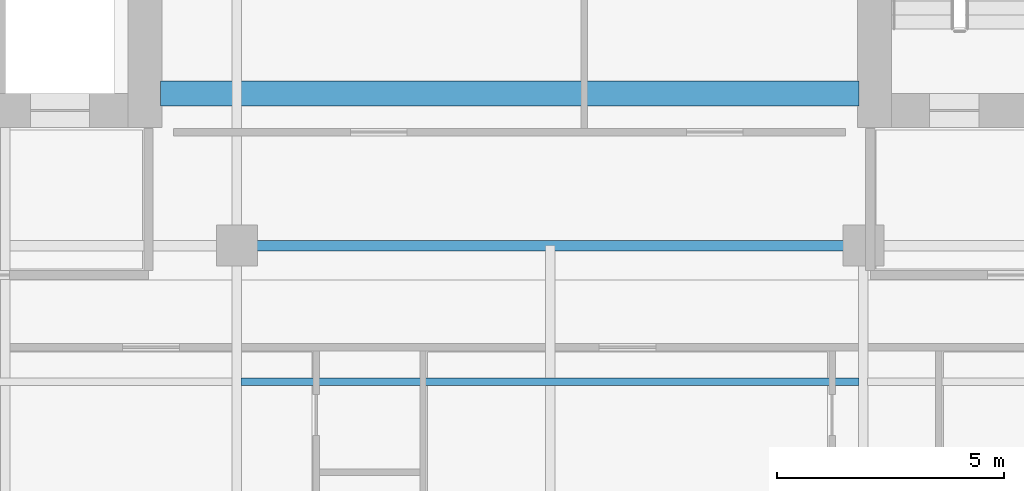
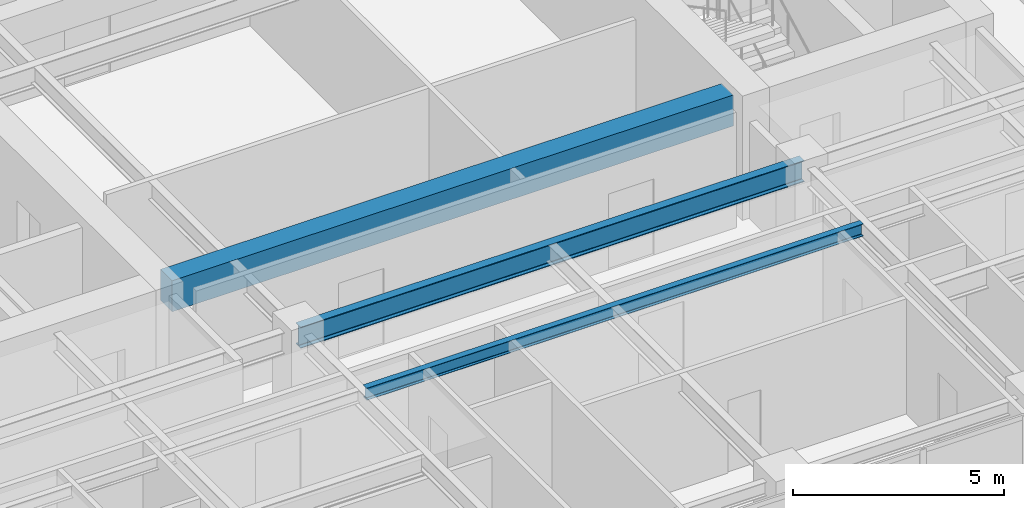
# One storey, part 4 of 20: 3 beams.
"""IFC4 building model written with IfcOpenShell, lengths in metres."""

from ifc_helpers import new_model, si_unit, direction, frame, origin, origin_2d, place, context, subcontext, project, spatial, rectangle, i_section, extrude, source, transform, mapped, material, material_profile, profile_set, type_object, element, save


model = new_model("IFC4")

# Units and contexts
model_context = context("Model", 3, precision=1e-05, world=origin(), true_north=direction((0.0, 1.0)))
body_context = subcontext(model_context, "Body", "Model", "MODEL_VIEW")
ifc_project = project(units=[si_unit("LENGTHUNIT", "METRE"), si_unit("AREAUNIT", "SQUARE_METRE"), si_unit("VOLUMEUNIT", "CUBIC_METRE"), si_unit("PLANEANGLEUNIT", "RADIAN"), si_unit("MASSUNIT", "GRAM", prefix="KILO")], contexts=[model_context])

# Site, building, storey
site_placement = place(None, origin())
site = spatial("IfcSite", under=ifc_project, at=site_placement, CompositionType="ELEMENT")
building_placement = place(site_placement, origin())
building = spatial("IfcBuilding", under=site, at=building_placement, Name="Khoralis Quay Care Tower", CompositionType="ELEMENT")
storey_placement = place(building_placement, frame((0.0, 0.0, 116.10009765625)))
storey = spatial("IfcBuildingStorey", under=building, at=storey_placement, Name="L30", CompositionType="ELEMENT", Elevation=116.10009765625)

# Beams
ifc_material_1 = material(Name="Concrete C65/80", Category="concrete")
ifc_material_profile_1 = material_profile(ifc_material_1, rectangle(XDim=0.550048828125, YDim=0.89990234375, at=origin_2d()), Name="Concrete C65/80")
ifc_profile_set_1 = profile_set([ifc_material_profile_1], Name="Concrete C65/80")
beam_type_1 = type_object("IfcBeamType", Name="CB-RC550X900", PredefinedType="LINTEL", material=ifc_profile_set_1)
shared_shape_1 = source(origin(), body_context, "Body", "SweptSolid", [
    extrude(rectangle(XDim=0.550048828125, YDim=0.89990234375, at=origin_2d()), origin(), (0.0, 0.0, 1.0), 15.380126953125),
])
beam_1_placement = place(storey_placement, frame((15.419921875, 15.35009765625, 2.889892578125), z_axis=(1.0, 0.0, 0.0), x_axis=(0.0, 1.0, 0.0)))
element("IfcBeam", 1, at=beam_1_placement, inside=storey, type_object=beam_type_1, Name="L30 South Core Coupling Lintel", PredefinedType="LINTEL", context=body_context, shape_type="MappedRepresentation", body=[
    mapped(shared_shape_1, transform((0.0, 0.0, 0.0), scale=1.0)),
])
ifc_material_2 = material(Name="Steel S355", Category="steel")
ifc_material_profile_2 = material_profile(ifc_material_2, i_section(OverallWidth=0.22998046875, OverallDepth=0.616943359375, WebThickness=0.01318359375, FlangeThickness=0.022216796875, FilletRadius=0.01806640625, at=origin_2d()), Name="Steel S355")
ifc_profile_set_2 = profile_set([ifc_material_profile_2], Name="Steel S355")
beam_type_2 = type_object("IfcBeamType", Name="BM-W610X140", PredefinedType="BEAM", material=ifc_profile_set_2)
shared_shape_2 = source(origin(), body_context, "Body", "SweptSolid", [
    extrude(i_section(OverallWidth=0.22998046875, OverallDepth=0.616943359375, WebThickness=0.01318359375, FlangeThickness=0.022216796875, FilletRadius=0.01806640625, at=origin_2d()), origin(), (0.0, 0.0, 1.0), 13.7998046875),
])
beam_2_placement = place(storey_placement, frame((17.10009765625, 12.0, 3.031494140625), z_axis=(1.0, 0.0, 0.0), x_axis=(0.0, 1.0, 0.0)))
element("IfcBeam", 2, at=beam_2_placement, inside=storey, type_object=beam_type_2, Name="BM-TGCC-L30-120", PredefinedType="BEAM", context=body_context, shape_type="MappedRepresentation", body=[
    mapped(shared_shape_2, transform((0.0, 0.0, 0.0), scale=1.0)),
])
ifc_material_profile_3 = material_profile(ifc_material_2, i_section(OverallWidth=0.1708984375, OverallDepth=0.35498046875, WebThickness=0.007080078125, FlangeThickness=0.01171875, FilletRadius=0.012939453125, at=origin_2d()), Name="Steel S355")
ifc_profile_set_3 = profile_set([ifc_material_profile_3], Name="Steel S355")
beam_type_3 = type_object("IfcBeamType", Name="BM-W360X51", PredefinedType="JOIST", material=ifc_profile_set_3)
shared_shape_3 = source(origin(), body_context, "Body", "SweptSolid", [
    extrude(i_section(OverallWidth=0.1708984375, OverallDepth=0.35498046875, WebThickness=0.007080078125, FlangeThickness=0.01171875, FilletRadius=0.012939453125, at=origin_2d()), origin(), (0.0, 0.0, 1.0), 13.61181640625),
])
beam_3_placement = place(storey_placement, frame((17.194091796875, 9.0, 3.162353515625), z_axis=(1.0, 0.0, 0.0), x_axis=(0.0, 1.0, 0.0)))
element("IfcBeam", 3, at=beam_3_placement, inside=storey, type_object=beam_type_3, Name="BM-TJS-L30-27", PredefinedType="JOIST", context=body_context, shape_type="MappedRepresentation", body=[
    mapped(shared_shape_3, transform((0.0, 0.0, 0.0), scale=1.0)),
])

save(model, "model.ifc")
